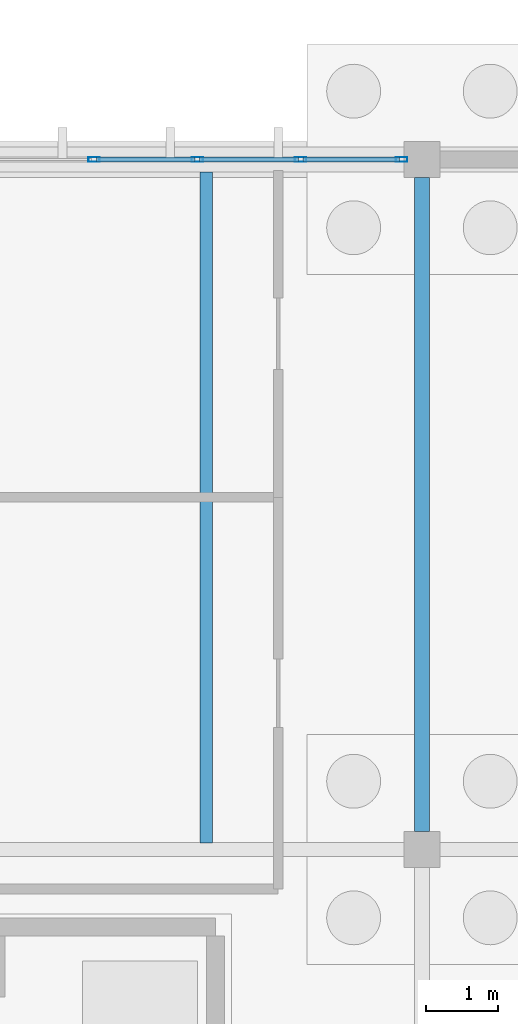
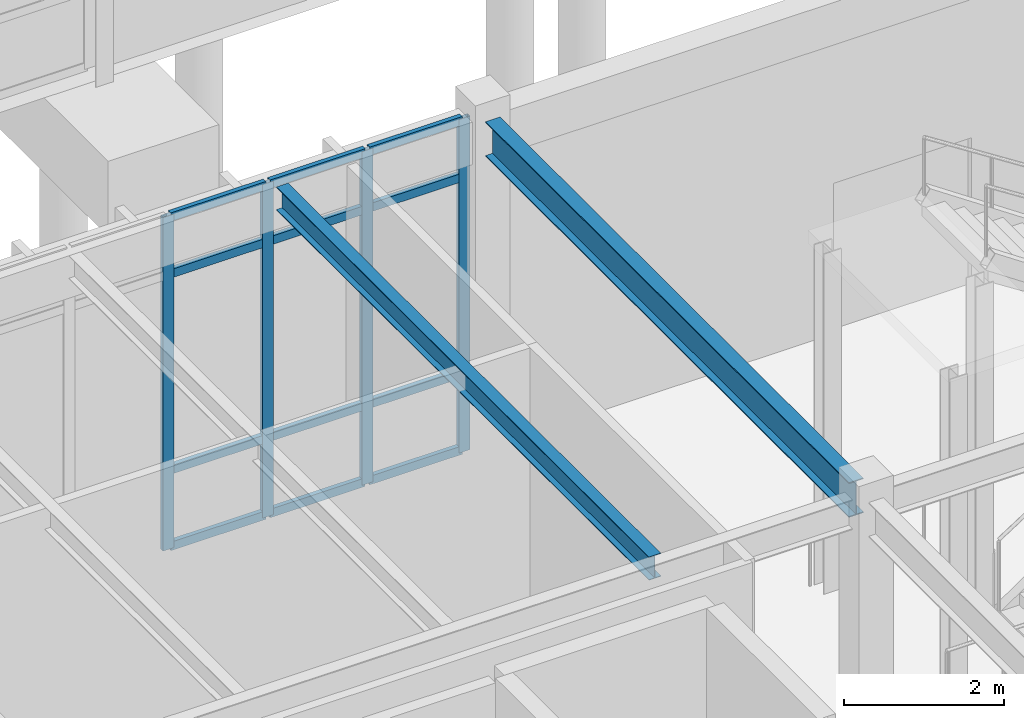
# One storey, part 29 of 188: 16 members, 2 beams, 1 element without a shape of its own.
"""IFC4 building model written with IfcOpenShell, lengths in metres."""

from ifc_helpers import new_model, si_unit, direction, frame, origin, origin_2d, place, context, subcontext, project, spatial, hollow_rectangle, i_section, extrude, material, layer, layer_set, material_profile, profile_set, type_object, element, aggregate, save


model = new_model("IFC4")

# Units and contexts
model_context = context("Model", 3, precision=1e-05, world=origin(), true_north=direction((0.0, 1.0)))
body_context = subcontext(model_context, "Body", "Model", "MODEL_VIEW")
ifc_project = project(units=[si_unit("LENGTHUNIT", "METRE"), si_unit("AREAUNIT", "SQUARE_METRE"), si_unit("VOLUMEUNIT", "CUBIC_METRE"), si_unit("PLANEANGLEUNIT", "RADIAN"), si_unit("MASSUNIT", "GRAM", prefix="KILO")], contexts=[model_context])

# Site, building, storey
site_placement = place(None, origin())
site = spatial("IfcSite", under=ifc_project, at=site_placement, CompositionType="ELEMENT")
building_placement = place(site_placement, origin())
building = spatial("IfcBuilding", under=site, at=building_placement, Name="Pandanus Reach Market Hall", CompositionType="ELEMENT")
storey_placement = place(building_placement, origin())
storey = spatial("IfcBuildingStorey", under=building, at=storey_placement, Name="L00", CompositionType="ELEMENT", Elevation=0.0)

# Beam
ifc_material_1 = material(Name="Steel Grade 350 (350 MPa)", Category="steel")
ifc_material_profile_1 = material_profile(ifc_material_1, i_section(OverallWidth=0.208984375, OverallDepth=0.532958984375, WebThickness=0.01025390625, FlangeThickness=0.015625, at=origin_2d()), Name="530UB92.4", Category="LoadBearing")
ifc_profile_set_1 = profile_set([ifc_material_profile_1], Name="Steel Grade 350 (350 MPa)")
beam_type_1 = type_object("IfcBeamType", Name="BM-UB530-I", PredefinedType="BEAM", material=ifc_profile_set_1)
beam_1_placement = place(storey_placement, frame((12.0, 19.447998046875, 4.843017578125), z_axis=(0.0, 1.0, 0.0), x_axis=(-1.0, 0.0, 0.0)))
element("IfcBeam", 1, at=beam_1_placement, inside=storey, type_object=beam_type_1, Name="Framing beam BM-UB530-I L00.938", PredefinedType="BEAM", context=body_context, shape_type="SweptSolid", body=[
    extrude(i_section(OverallWidth=0.208984375, OverallDepth=0.532958984375, WebThickness=0.01025390625, FlangeThickness=0.015625, at=origin_2d()), origin(), (0.0, 0.0, 1.0), 9.10400390625),
])

# Curtain wall, members
ifc_material_2 = material(Name="Bronze anodised aluminium and low-E glass", Category="aluminium")
ifc_layer = layer(ifc_material_2, 0.159912109375, Name="CW-11")
ifc_layer_set = layer_set([ifc_layer], Name="Bronze anodised aluminium and low-E glass")
curtain_wall_type = type_object("IfcCurtainWallType", Name="CW-11", PredefinedType="NOTDEFINED", material=ifc_layer_set)
curtain_wall_placement = place(storey_placement, origin())
curtain_wall = element("IfcCurtainWall", 2, at=curtain_wall_placement, inside=storey, type_object=curtain_wall_type, Name="Glazed curtain wall CW-11 CW-0049", PredefinedType="NOTDEFINED")
ifc_material_3 = material(Name="Bronze anodised aluminium", Category="aluminium")
ifc_material_profile_2 = material_profile(ifc_material_3, hollow_rectangle(XDim=0.06494140625, YDim=0.159912109375, WallThickness=0.00390625, at=origin_2d()), Name="ALU65x160", Category="LoadBearing")
ifc_profile_set_2 = profile_set([ifc_material_profile_2], Name="Bronze anodised aluminium")
member_type_1 = type_object("IfcMemberType", Name="CW-M1", PredefinedType="MULLION", material=ifc_profile_set_2)
member_1_placement = place(storey_placement, frame((7.4375, 28.800048828125, 0.0), z_axis=(0.0, 0.0, 1.0), x_axis=(0.0, 1.0, 0.0)))
member_1 = element("IfcMember", 3, at=member_1_placement, type_object=member_type_1, Name="CW-11 mullion 6", PredefinedType="MULLION", context=body_context, shape_type="SweptSolid", body=[
    extrude(hollow_rectangle(XDim=0.06494140625, YDim=0.159912109375, WallThickness=0.00390625, at=origin_2d()), origin(), (0.0, 0.0, 1.0), 5.10009765625),
])
member_2_placement = place(storey_placement, frame((8.875, 28.800048828125, 0.0), z_axis=(0.0, 0.0, 1.0), x_axis=(0.0, 1.0, 0.0)))
member_2 = element("IfcMember", 4, at=member_2_placement, type_object=member_type_1, Name="CW-11 mullion 7", PredefinedType="MULLION", context=body_context, shape_type="SweptSolid", body=[
    extrude(hollow_rectangle(XDim=0.06494140625, YDim=0.159912109375, WallThickness=0.00390625, at=origin_2d()), origin(), (0.0, 0.0, 1.0), 5.10009765625),
])
member_3_placement = place(storey_placement, frame((10.3125, 28.800048828125, 0.0), z_axis=(0.0, 0.0, 1.0), x_axis=(0.0, 1.0, 0.0)))
member_3 = element("IfcMember", 5, at=member_3_placement, type_object=member_type_1, Name="CW-11 mullion 8", PredefinedType="MULLION", context=body_context, shape_type="SweptSolid", body=[
    extrude(hollow_rectangle(XDim=0.06494140625, YDim=0.159912109375, WallThickness=0.00390625, at=origin_2d()), origin(), (0.0, 0.0, 1.0), 5.10009765625),
])
member_4_placement = place(storey_placement, frame((11.717529296875, 28.800048828125, 0.0), z_axis=(0.0, 0.0, 1.0), x_axis=(0.0, 1.0, 0.0)))
member_4 = element("IfcMember", 6, at=member_4_placement, type_object=member_type_1, Name="CW-11 mullion 9", PredefinedType="MULLION", context=body_context, shape_type="SweptSolid", body=[
    extrude(hollow_rectangle(XDim=0.06494140625, YDim=0.159912109375, WallThickness=0.00390625, at=origin_2d()), origin(), (0.0, 0.0, 1.0), 5.10009765625),
])
ifc_material_profile_3 = material_profile(ifc_material_3, hollow_rectangle(XDim=0.06494140625, YDim=0.1298828125, WallThickness=0.00390625, at=origin_2d()), Name="ALU65x130", Category="LoadBearing")
ifc_profile_set_3 = profile_set([ifc_material_profile_3], Name="Bronze anodised aluminium")
member_type_2 = type_object("IfcMemberType", Name="CW-T1", PredefinedType="USERDEFINED", material=ifc_profile_set_3)
member_5_placement = place(storey_placement, frame((7.469970703125, 28.800048828125, 0.032470703125), z_axis=(1.0, 0.0, 0.0), x_axis=(0.0, 1.0, 0.0)))
member_5 = element("IfcMember", 7, at=member_5_placement, type_object=member_type_2, Name="CW-11 transom 6.1", ObjectType="TRANSOM", PredefinedType="USERDEFINED", context=body_context, shape_type="SweptSolid", body=[
    extrude(hollow_rectangle(XDim=0.06494140625, YDim=0.1298828125, WallThickness=0.00390625, at=origin_2d()), origin(), (0.0, 0.0, 1.0), 1.37255859375),
])
member_6_placement = place(storey_placement, frame((7.469970703125, 28.800048828125, 1.199951171875), z_axis=(1.0, 0.0, 0.0), x_axis=(0.0, 1.0, 0.0)))
member_6 = element("IfcMember", 8, at=member_6_placement, type_object=member_type_2, Name="CW-11 transom 6.2", ObjectType="TRANSOM", PredefinedType="USERDEFINED", context=body_context, shape_type="SweptSolid", body=[
    extrude(hollow_rectangle(XDim=0.06494140625, YDim=0.1298828125, WallThickness=0.00390625, at=origin_2d()), origin(), (0.0, 0.0, 1.0), 1.37255859375),
])
member_7_placement = place(storey_placement, frame((7.469970703125, 28.800048828125, 4.199951171875), z_axis=(1.0, 0.0, 0.0), x_axis=(0.0, 1.0, 0.0)))
member_7 = element("IfcMember", 9, at=member_7_placement, type_object=member_type_2, Name="CW-11 transom 6.3", ObjectType="TRANSOM", PredefinedType="USERDEFINED", context=body_context, shape_type="SweptSolid", body=[
    extrude(hollow_rectangle(XDim=0.06494140625, YDim=0.1298828125, WallThickness=0.00390625, at=origin_2d()), origin(), (0.0, 0.0, 1.0), 1.37255859375),
])
member_8_placement = place(storey_placement, frame((7.469970703125, 28.800048828125, 5.0673828125), z_axis=(1.0, 0.0, 0.0), x_axis=(0.0, 1.0, 0.0)))
member_8 = element("IfcMember", 10, at=member_8_placement, type_object=member_type_2, Name="CW-11 transom 6.4", ObjectType="TRANSOM", PredefinedType="USERDEFINED", context=body_context, shape_type="SweptSolid", body=[
    extrude(hollow_rectangle(XDim=0.06494140625, YDim=0.1298828125, WallThickness=0.00390625, at=origin_2d()), origin(), (0.0, 0.0, 1.0), 1.37255859375),
])
member_9_placement = place(storey_placement, frame((8.907470703125, 28.800048828125, 0.032470703125), z_axis=(1.0, 0.0, 0.0), x_axis=(0.0, 1.0, 0.0)))
member_9 = element("IfcMember", 11, at=member_9_placement, type_object=member_type_2, Name="CW-11 transom 7.1", ObjectType="TRANSOM", PredefinedType="USERDEFINED", context=body_context, shape_type="SweptSolid", body=[
    extrude(hollow_rectangle(XDim=0.06494140625, YDim=0.1298828125, WallThickness=0.00390625, at=origin_2d()), origin(), (0.0, 0.0, 1.0), 1.37255859375),
])
member_10_placement = place(storey_placement, frame((8.907470703125, 28.800048828125, 1.199951171875), z_axis=(1.0, 0.0, 0.0), x_axis=(0.0, 1.0, 0.0)))
member_10 = element("IfcMember", 12, at=member_10_placement, type_object=member_type_2, Name="CW-11 transom 7.2", ObjectType="TRANSOM", PredefinedType="USERDEFINED", context=body_context, shape_type="SweptSolid", body=[
    extrude(hollow_rectangle(XDim=0.06494140625, YDim=0.1298828125, WallThickness=0.00390625, at=origin_2d()), origin(), (0.0, 0.0, 1.0), 1.37255859375),
])
member_11_placement = place(storey_placement, frame((8.907470703125, 28.800048828125, 4.199951171875), z_axis=(1.0, 0.0, 0.0), x_axis=(0.0, 1.0, 0.0)))
member_11 = element("IfcMember", 13, at=member_11_placement, type_object=member_type_2, Name="CW-11 transom 7.3", ObjectType="TRANSOM", PredefinedType="USERDEFINED", context=body_context, shape_type="SweptSolid", body=[
    extrude(hollow_rectangle(XDim=0.06494140625, YDim=0.1298828125, WallThickness=0.00390625, at=origin_2d()), origin(), (0.0, 0.0, 1.0), 1.37255859375),
])
member_12_placement = place(storey_placement, frame((8.907470703125, 28.800048828125, 5.0673828125), z_axis=(1.0, 0.0, 0.0), x_axis=(0.0, 1.0, 0.0)))
member_12 = element("IfcMember", 14, at=member_12_placement, type_object=member_type_2, Name="CW-11 transom 7.4", ObjectType="TRANSOM", PredefinedType="USERDEFINED", context=body_context, shape_type="SweptSolid", body=[
    extrude(hollow_rectangle(XDim=0.06494140625, YDim=0.1298828125, WallThickness=0.00390625, at=origin_2d()), origin(), (0.0, 0.0, 1.0), 1.37255859375),
])
member_13_placement = place(storey_placement, frame((10.344970703125, 28.800048828125, 0.032470703125), z_axis=(1.0, 0.0, 0.0), x_axis=(0.0, 1.0, 0.0)))
member_13 = element("IfcMember", 15, at=member_13_placement, type_object=member_type_2, Name="CW-11 transom 8.1", ObjectType="TRANSOM", PredefinedType="USERDEFINED", context=body_context, shape_type="SweptSolid", body=[
    extrude(hollow_rectangle(XDim=0.06494140625, YDim=0.1298828125, WallThickness=0.00390625, at=origin_2d()), origin(), (0.0, 0.0, 1.0), 1.340087890625),
])
member_14_placement = place(storey_placement, frame((10.344970703125, 28.800048828125, 1.199951171875), z_axis=(1.0, 0.0, 0.0), x_axis=(0.0, 1.0, 0.0)))
member_14 = element("IfcMember", 16, at=member_14_placement, type_object=member_type_2, Name="CW-11 transom 8.2", ObjectType="TRANSOM", PredefinedType="USERDEFINED", context=body_context, shape_type="SweptSolid", body=[
    extrude(hollow_rectangle(XDim=0.06494140625, YDim=0.1298828125, WallThickness=0.00390625, at=origin_2d()), origin(), (0.0, 0.0, 1.0), 1.340087890625),
])
member_15_placement = place(storey_placement, frame((10.344970703125, 28.800048828125, 4.199951171875), z_axis=(1.0, 0.0, 0.0), x_axis=(0.0, 1.0, 0.0)))
member_15 = element("IfcMember", 17, at=member_15_placement, type_object=member_type_2, Name="CW-11 transom 8.3", ObjectType="TRANSOM", PredefinedType="USERDEFINED", context=body_context, shape_type="SweptSolid", body=[
    extrude(hollow_rectangle(XDim=0.06494140625, YDim=0.1298828125, WallThickness=0.00390625, at=origin_2d()), origin(), (0.0, 0.0, 1.0), 1.340087890625),
])
member_16_placement = place(storey_placement, frame((10.344970703125, 28.800048828125, 5.0673828125), z_axis=(1.0, 0.0, 0.0), x_axis=(0.0, 1.0, 0.0)))
member_16 = element("IfcMember", 18, at=member_16_placement, type_object=member_type_2, Name="CW-11 transom 8.4", ObjectType="TRANSOM", PredefinedType="USERDEFINED", context=body_context, shape_type="SweptSolid", body=[
    extrude(hollow_rectangle(XDim=0.06494140625, YDim=0.1298828125, WallThickness=0.00390625, at=origin_2d()), origin(), (0.0, 0.0, 1.0), 1.340087890625),
])
aggregate(curtain_wall, [member_1, member_2, member_3, member_4, member_5, member_6, member_7, member_8, member_9, member_10, member_11, member_12, member_13, member_14, member_15, member_16])

# Beam
ifc_material_profile_4 = material_profile(ifc_material_1, i_section(OverallWidth=0.1708984375, OverallDepth=0.35595703125, WebThickness=0.00732421875, FlangeThickness=0.011474609375, at=origin_2d()), Name="360UB50.7", Category="LoadBearing")
ifc_profile_set_4 = profile_set([ifc_material_profile_4], Name="Steel Grade 350 (350 MPa)")
beam_type_2 = type_object("IfcBeamType", Name="JS-UB360-I", PredefinedType="JOIST", material=ifc_profile_set_4)
beam_2_placement = place(storey_placement, frame((9.0, 19.29296875, 4.931640625), z_axis=(0.0, 1.0, 0.0), x_axis=(-1.0, 0.0, 0.0)))
element("IfcBeam", 19, at=beam_2_placement, inside=storey, type_object=beam_type_2, Name="Secondary joist JS-UB360-I L00.950", PredefinedType="JOIST", context=body_context, shape_type="SweptSolid", body=[
    extrude(i_section(OverallWidth=0.1708984375, OverallDepth=0.35595703125, WebThickness=0.00732421875, FlangeThickness=0.011474609375, at=origin_2d()), origin(), (0.0, 0.0, 1.0), 9.333984375),
])

save(model, "model.ifc")
